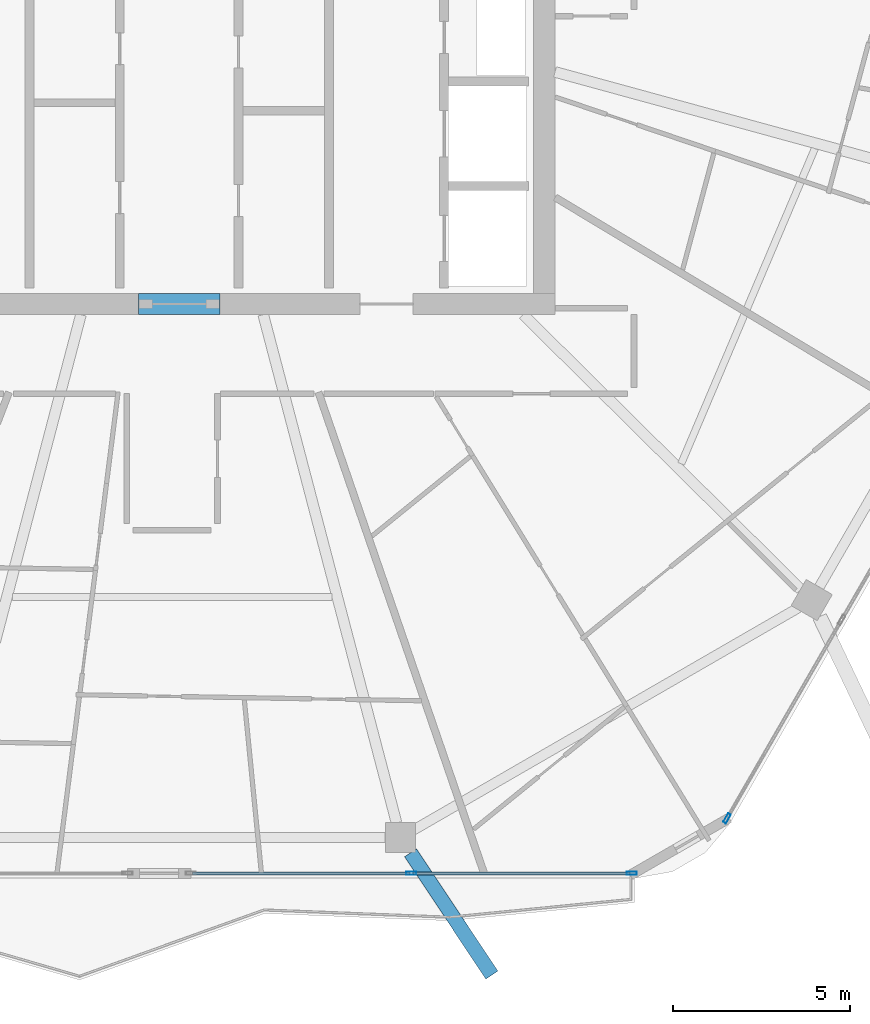
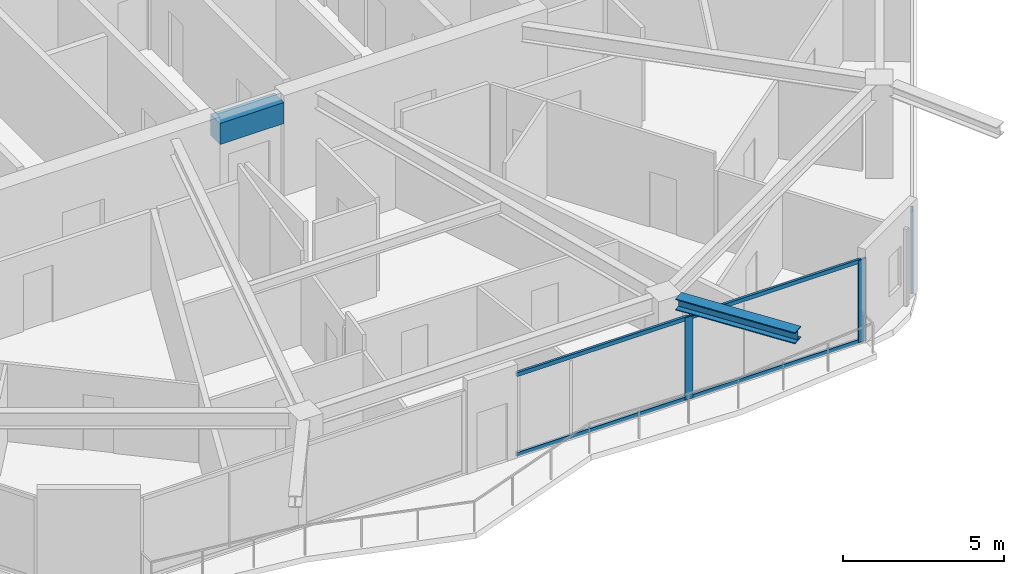
# One storey, part 7 of 26: 7 members, 2 beams, 2 elements without a shape of their own.
"""IFC4 building model written with IfcOpenShell, lengths in metres."""

from ifc_helpers import new_model, si_unit, direction, frame, origin, origin_2d, place, context, subcontext, project, spatial, rectangle, hollow_rectangle, i_section, extrude, material, material_profile, profile_set, type_object, element, aggregate, save


model = new_model("IFC4")

# Units and contexts
model_context = context("Model", 3, precision=1e-05, world=origin(), true_north=direction((0.0, 1.0)))
body_context = subcontext(model_context, "Body", "Model", "MODEL_VIEW")
ifc_project = project(units=[si_unit("LENGTHUNIT", "METRE"), si_unit("AREAUNIT", "SQUARE_METRE"), si_unit("VOLUMEUNIT", "CUBIC_METRE"), si_unit("PLANEANGLEUNIT", "RADIAN"), si_unit("MASSUNIT", "GRAM", prefix="KILO")], contexts=[model_context])

# Site, building, storey
site_placement = place(None, origin())
site = spatial("IfcSite", under=ifc_project, at=site_placement, CompositionType="ELEMENT")
building_placement = place(site_placement, origin())
building = spatial("IfcBuilding", under=site, at=building_placement, Name="Zuhravey Tower", CompositionType="ELEMENT")
storey_placement = place(building_placement, frame((0.0, 0.0, 288.199951171875)))
storey = spatial("IfcBuildingStorey", under=building, at=storey_placement, Name="L73", CompositionType="ELEMENT", Elevation=288.199951171875)

# Beam
ifc_material_1 = material(Name="Concrete C50/60", Category="concrete")
ifc_material_profile_1 = material_profile(ifc_material_1, rectangle(XDim=0.60009765625, YDim=0.800048828125, at=origin_2d()), Name="RC-600x800")
ifc_profile_set_1 = profile_set([ifc_material_profile_1], Name="Concrete C50/60")
beam_type_1 = type_object("IfcBeamType", Name="Core Coupling Beam RC600x800", PredefinedType="LINTEL", material=ifc_profile_set_1)
beam_1_placement = place(storey_placement, frame((35.052001953125, 22.5, 3.150146484375), z_axis=(1.0, 0.0, 0.0), x_axis=(0.0, 1.0, 0.0)))
element("IfcBeam", 1, at=beam_1_placement, inside=storey, type_object=beam_type_1, Name="L73 CB2 BM-L73-CB-S", PredefinedType="LINTEL", context=body_context, shape_type="SweptSolid", body=[
    extrude(rectangle(XDim=0.60009765625, YDim=0.800048828125, at=origin_2d()), origin(), (0.0, 0.0, 1.0), 2.2958984375),
])

# Curtain wall, member
ifc_material_2 = material(Name="Thermally broken anodised aluminium", Category="aluminium")
curtain_wall_type = type_object("IfcCurtainWallType", Name="Zone 3-4 High-Rise Curtain Wall CW4", PredefinedType="NOTDEFINED", material=ifc_material_2)
curtain_wall_1_placement = place(storey_placement, origin())
curtain_wall_1 = element("IfcCurtainWall", 2, at=curtain_wall_1_placement, inside=storey, type_object=curtain_wall_type, Name="L73 CW4 CW-L73-F6-1", PredefinedType="NOTDEFINED")
ifc_material_3 = material(Name="Anodised aluminium", Category="aluminium")
ifc_material_profile_2 = material_profile(ifc_material_3, hollow_rectangle(XDim=0.090087890625, YDim=0.284912109375, WallThickness=0.0048828125, at=origin_2d()), Name="ALU-RHS-90x285x5")
ifc_profile_set_2 = profile_set([ifc_material_profile_2], Name="Anodised aluminium")
member_type_1 = type_object("IfcMemberType", Name="Curtain-Wall Mullion 90x180", PredefinedType="MULLION", material=ifc_profile_set_2)
member_1_placement = place(storey_placement, frame((51.65478515625, 7.98779296875, 0.0), z_axis=(0.0, 0.0, 1.0), x_axis=(0.866024851021, -0.500000957414, 0.0)))
member_1 = element("IfcMember", 3, at=member_1_placement, type_object=member_type_1, Name="CW4 mullion 5", PredefinedType="MULLION", context=body_context, shape_type="SweptSolid", body=[
    extrude(hollow_rectangle(XDim=0.090087890625, YDim=0.284912109375, WallThickness=0.0048828125, at=origin_2d()), origin(), (0.0, 0.0, 1.0), 3.1220703125),
])
aggregate(curtain_wall_1, [member_1])

# Curtain wall, members
curtain_wall_2_placement = place(storey_placement, origin())
curtain_wall_2 = element("IfcCurtainWall", 4, at=curtain_wall_2_placement, inside=storey, type_object=curtain_wall_type, Name="L73 CW4 CW-L73-F5-1", PredefinedType="NOTDEFINED")
member_2_placement = place(storey_placement, frame((48.9677734375, 6.436279296875, 0.0), z_axis=(0.0, 0.0, 1.0), x_axis=(0.0, -1.0, 0.0)))
member_2 = element("IfcMember", 5, at=member_2_placement, type_object=member_type_1, Name="CW4 mullion 1", PredefinedType="MULLION", context=body_context, shape_type="SweptSolid", body=[
    extrude(hollow_rectangle(XDim=0.090087890625, YDim=0.284912109375, WallThickness=0.0048828125, at=origin_2d()), origin(), (0.0, 0.0, 1.0), 3.1220703125),
])
member_3_placement = place(storey_placement, frame((42.74951171875, 6.436279296875, 0.0), z_axis=(0.0, 0.0, 1.0), x_axis=(0.0, -1.0, 0.0)))
member_3 = element("IfcMember", 6, at=member_3_placement, type_object=member_type_1, Name="CW4 mullion 2", PredefinedType="MULLION", context=body_context, shape_type="SweptSolid", body=[
    extrude(hollow_rectangle(XDim=0.090087890625, YDim=0.284912109375, WallThickness=0.0048828125, at=origin_2d()), origin(), (0.0, 0.0, 1.0), 3.1220703125),
])
ifc_material_profile_3 = material_profile(ifc_material_3, hollow_rectangle(XDim=0.090087890625, YDim=0.14990234375, WallThickness=0.0048828125, at=origin_2d()), Name="ALU-RHS-90x150x5")
ifc_profile_set_3 = profile_set([ifc_material_profile_3], Name="Anodised aluminium")
member_type_2 = type_object("IfcMemberType", Name="Curtain-Wall Transom 90x150", PredefinedType="USERDEFINED", material=ifc_profile_set_3)
member_4_placement = place(storey_placement, frame((48.922607421875, 6.436279296875, 0.045166015625), z_axis=(-1.0, 0.0, 0.0), x_axis=(0.0, -1.0, 0.0)))
member_4 = element("IfcMember", 7, at=member_4_placement, type_object=member_type_2, Name="CW4 transom 1.1", ObjectType="TRANSOM", PredefinedType="USERDEFINED", context=body_context, shape_type="SweptSolid", body=[
    extrude(hollow_rectangle(XDim=0.090087890625, YDim=0.14990234375, WallThickness=0.0048828125, at=origin_2d()), origin(), (0.0, 0.0, 1.0), 6.128173828125),
])
member_5_placement = place(storey_placement, frame((48.922607421875, 6.436279296875, 3.0771484375), z_axis=(-1.0, 0.0, 0.0), x_axis=(0.0, -1.0, 0.0)))
member_5 = element("IfcMember", 8, at=member_5_placement, type_object=member_type_2, Name="CW4 transom 1.2", ObjectType="TRANSOM", PredefinedType="USERDEFINED", context=body_context, shape_type="SweptSolid", body=[
    extrude(hollow_rectangle(XDim=0.090087890625, YDim=0.14990234375, WallThickness=0.0048828125, at=origin_2d()), origin(), (0.0, 0.0, 1.0), 6.128173828125),
])
member_6_placement = place(storey_placement, frame((42.70458984375, 6.436279296875, 0.045166015625), z_axis=(-1.0, 0.0, 0.0), x_axis=(0.0, -1.0, 0.0)))
member_6 = element("IfcMember", 9, at=member_6_placement, type_object=member_type_2, Name="CW4 transom 2.1", ObjectType="TRANSOM", PredefinedType="USERDEFINED", context=body_context, shape_type="SweptSolid", body=[
    extrude(hollow_rectangle(XDim=0.090087890625, YDim=0.14990234375, WallThickness=0.0048828125, at=origin_2d()), origin(), (0.0, 0.0, 1.0), 6.128173828125),
])
member_7_placement = place(storey_placement, frame((42.70458984375, 6.436279296875, 3.0771484375), z_axis=(-1.0, 0.0, 0.0), x_axis=(0.0, -1.0, 0.0)))
member_7 = element("IfcMember", 10, at=member_7_placement, type_object=member_type_2, Name="CW4 transom 2.2", ObjectType="TRANSOM", PredefinedType="USERDEFINED", context=body_context, shape_type="SweptSolid", body=[
    extrude(hollow_rectangle(XDim=0.090087890625, YDim=0.14990234375, WallThickness=0.0048828125, at=origin_2d()), origin(), (0.0, 0.0, 1.0), 6.128173828125),
])
aggregate(curtain_wall_2, [member_2, member_3, member_4, member_5, member_6, member_7])

# Beam
ifc_material_4 = material(Name="Steel SM460", Category="steel")
ifc_material_profile_4 = material_profile(ifc_material_4, i_section(OverallWidth=0.406982421875, OverallDepth=0.427978515625, WebThickness=0.02001953125, FlangeThickness=0.034912109375, at=origin_2d()), Name="H-428x407x20x35")
ifc_profile_set_4 = profile_set([ifc_material_profile_4], Name="Steel SM460")
beam_type_2 = type_object("IfcBeamType", Name="Exoskeleton Node Tie Beam H428x407", PredefinedType="BEAM", material=ifc_profile_set_4)
beam_2_placement = place(storey_placement, frame((42.725830078125, 7.01806640625, 3.3359375), z_axis=(0.553938411893, -0.832557647151, 0.0), x_axis=(0.832557647151, 0.553938411893, 0.0)))
element("IfcBeam", 11, at=beam_2_placement, inside=storey, type_object=beam_type_2, Name="L73 Exoskeleton Node Tie NT1-10", PredefinedType="BEAM", context=body_context, shape_type="SweptSolid", body=[
    extrude(i_section(OverallWidth=0.406982421875, OverallDepth=0.427978515625, WebThickness=0.02001953125, FlangeThickness=0.034912109375, at=origin_2d()), origin(), (0.0, 0.0, 1.0), 4.142822265625),
])

save(model, "model.ifc")
